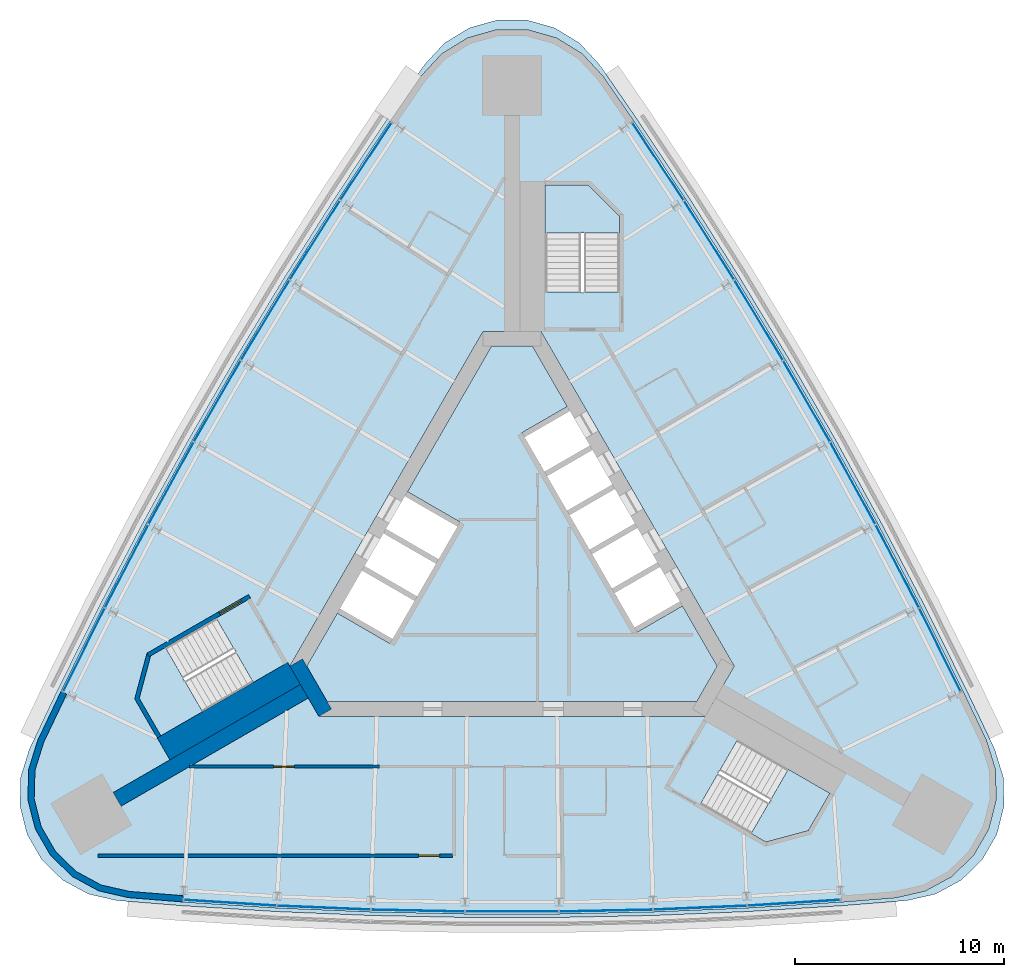
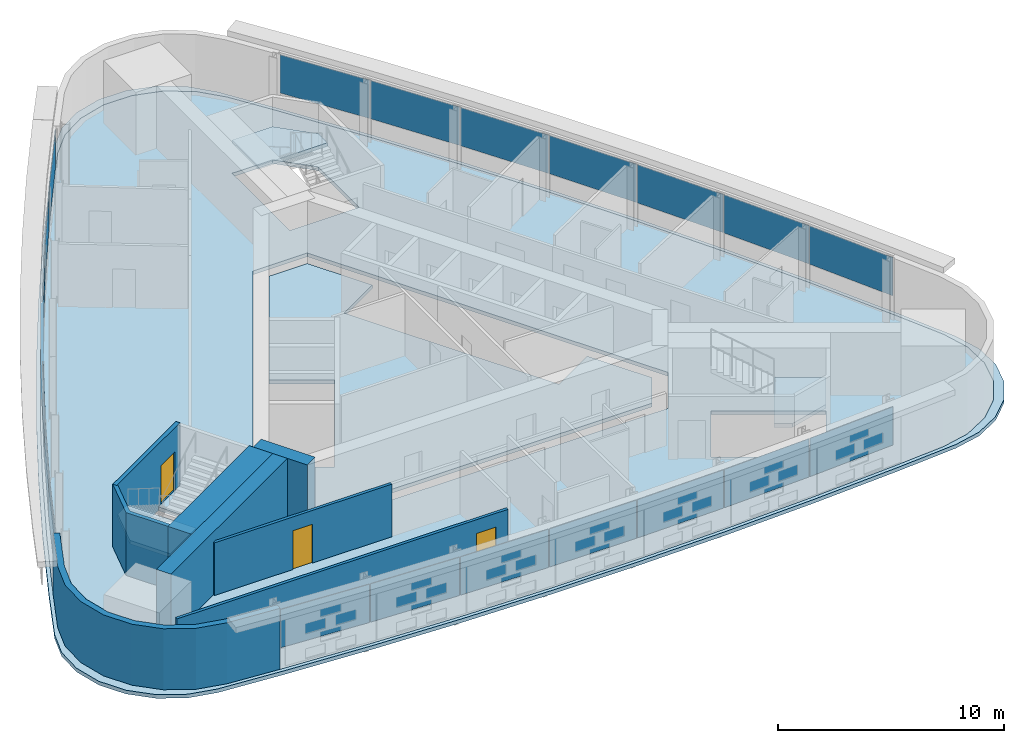
# One storey, part 7 of 12: 21 plates, 8 walls, 6 slabs, 3 doors, 3 openings, 6 elements without a shape of their own.
"""IFC4 building model written with IfcOpenShell, lengths in metres."""

from ifc_helpers import new_model, si_unit, direction, frame, frame_2d, origin, origin_2d, place, context, subcontext, project, spatial, polyline, rectangle, outline, extrude, material, layer, layer_set, type_object, element, fill, aggregate, save


model = new_model("IFC4")

# Units and contexts
model_context = context("Model", 3, precision=1e-05, world=origin(), true_north=direction((0.0, 1.0)))
body_context = subcontext(model_context, "Body", "Model", "MODEL_VIEW")
ifc_project = project(units=[si_unit("LENGTHUNIT", "METRE"), si_unit("AREAUNIT", "SQUARE_METRE"), si_unit("VOLUMEUNIT", "CUBIC_METRE"), si_unit("PLANEANGLEUNIT", "RADIAN"), si_unit("MASSUNIT", "GRAM", prefix="KILO")], contexts=[model_context])

# Site, building, storey
site_placement = place(None, origin())
site = spatial("IfcSite", under=ifc_project, at=site_placement, CompositionType="ELEMENT")
building_placement = place(site_placement, origin())
building = spatial("IfcBuilding", under=site, at=building_placement, Name="Noor Cloister Tower", CompositionType="ELEMENT")
storey_placement = place(building_placement, frame((0.0, 0.0, 158.10009765625)))
storey = spatial("IfcBuildingStorey", under=building, at=storey_placement, Name="L40", CompositionType="ELEMENT", Elevation=158.10009765625)

# Slabs
ifc_material_1 = material(Name="Concrete C40/50", Category="concrete")
ifc_layer_1 = layer(ifc_material_1, 0.199951171875)
ifc_layer_set_1 = layer_set([ifc_layer_1], Name="Core floor slab 200 C40/50")
slab_type_1 = type_object("IfcSlabType", Name="Core floor slab 200 C40/50", PredefinedType="FLOOR", material=ifc_layer_set_1)
slab_1_placement = place(storey_placement, frame((0.0, 0.0, -0.2001953125)))
element("IfcSlab", 1, at=slab_1_placement, inside=storey, type_object=slab_type_1, Name="Core floor L40", PredefinedType="FLOOR", context=body_context, shape_type="SweptSolid", body=[
    extrude(outline(polyline([(2.643798828125, 7.877197265625), (0.9814453125, 10.75634765625), (-0.9814453125, 10.75634765625), (-4.993896484375, 3.806884765625), (-2.482421875, 2.35693359375), (-5.832275390625, -3.4453125), (-8.34375, -1.995361328125), (-9.80615234375, -4.5283203125), (-8.82470703125, -6.228271484375), (8.82470703125, -6.228271484375), (9.80615234375, -4.5283203125), (8.143798828125, -1.64892578125), (5.978759765625, -2.89892578125), (0.478759765625, 6.627197265625), (2.643798828125, 7.877197265625)])), origin(), (0.0, 0.0, 1.0), 0.2001953125),
])
ifc_material_2 = material(Name="Concrete C40/50", Category="concrete")
ifc_layer_2 = layer(ifc_material_2, 0.199951171875)
ifc_layer_set_2 = layer_set([ifc_layer_2], Name="Floor slab 200 C40/50")
slab_type_2 = type_object("IfcSlabType", Name="Floor slab 200 C40/50", PredefinedType="FLOOR", material=ifc_layer_set_2)
slab_2_placement = place(storey_placement, frame((0.0, 0.0, -0.2001953125)))
element("IfcSlab", 2, at=slab_2_placement, inside=storey, type_object=slab_type_2, Name="Floor slab L40", PredefinedType="FLOOR", context=body_context, shape_type="SweptSolid", body=[
    extrude(outline(polyline([(4.335693359375, 23.665283203125), (3.3525390625, 24.728271484375), (2.11767578125, 25.484619140625), (0.72412109375, 25.87744140625), (-0.72412109375, 25.87744140625), (-2.11767578125, 25.484619140625), (-3.3525390625, 24.728271484375), (-4.335693359375, 23.665283203125), (-5.8095703125, 21.5244140625), (-8.2998046875, 17.7763671875), (-10.7109375, 13.97705078125), (-13.0419921875, 10.1279296875), (-15.2919921875, 6.23095703125), (-17.4599609375, 2.28759765625), (-19.544677734375, -1.7001953125), (-21.54541015625, -5.73095703125), (-22.66259765625, -8.077880859375), (-23.091552734375, -9.4609375), (-23.129150390625, -10.908447265625), (-22.772705078125, -12.311767578125), (-22.048583984375, -13.565673828125), (-21.011474609375, -14.576171875), (-19.739013671875, -15.267333984375), (-18.326904296875, -15.58740234375), (-15.73583984375, -15.79345703125), (-11.244873046875, -16.075927734375), (-6.748779296875, -16.264404296875), (-2.25, -16.358642578125), (2.25, -16.358642578125), (6.748779296875, -16.264404296875), (11.244873046875, -16.075927734375), (15.73583984375, -15.79345703125), (18.326904296875, -15.58740234375), (19.739013671875, -15.267333984375), (21.011474609375, -14.576171875), (22.048583984375, -13.565673828125), (22.772705078125, -12.311767578125), (23.129150390625, -10.908447265625), (23.091552734375, -9.4609375), (22.66259765625, -8.077880859375), (21.54541015625, -5.73095703125), (19.544677734375, -1.7001953125), (17.4599609375, 2.28759765625), (15.2919921875, 6.23095703125), (13.0419921875, 10.1279296875), (10.7109375, 13.97705078125), (8.2998046875, 17.7763671875), (5.8095703125, 21.5244140625), (4.335693359375, 23.665283203125)]), holes=[polyline([(8.999755859375, -11.126220703125), (12.131591796875, -12.934326171875), (14.1572265625, -12.3916015625), (15.19091796875, -10.601318359375), (10.774658203125, -8.0517578125), (8.999755859375, -11.126220703125)]), polyline([(-17.81005859375, -6.064697265625), (-16.776611328125, -7.85498046875), (-12.3603515625, -5.305419921875), (-14.13525390625, -2.23095703125), (-16.662841796875, -3.690185546875), (-17.267333984375, -4.039306640625), (-17.81005859375, -6.064697265625)]), polyline([(-10.6142578125, -4.5283203125), (-9.228759765625, -6.92822265625), (9.228759765625, -6.92822265625), (10.6142578125, -4.5283203125), (1.3857421875, 11.456298828125), (-1.3857421875, 11.456298828125), (-10.6142578125, -4.5283203125)]), polyline([(3.65283203125, 18.456298828125), (1.585693359375, 18.456298828125), (1.585693359375, 13.35693359375), (5.135498046875, 13.35693359375), (5.135498046875, 16.9736328125), (3.65283203125, 18.456298828125)])]), origin(), (0.0, 0.0, 1.0), 0.2001953125),
])

# Curtain wall, plates
ifc_material_3 = material(Name="Aluminium 6063-T6 anodised", Category="aluminium")
curtain_wall_type = type_object("IfcCurtainWallType", Name="Ribbon curtain wall, upper tower CW5", PredefinedType="NOTDEFINED", material=ifc_material_3)
curtain_wall_1_placement = place(storey_placement, origin())
curtain_wall_1 = element("IfcCurtainWall", 3, at=curtain_wall_1_placement, inside=storey, type_object=curtain_wall_type, Name="CW5 L40 NW run 1", PredefinedType="NOTDEFINED")
ifc_material_4 = material(Name="Clear laminated glass 2 x 8 mm", Category="glass")
ifc_layer_3 = layer(ifc_material_4, 0.028076171875)
ifc_layer_set_3 = layer_set([ifc_layer_3], Name="Glass panel CW5")
plate_type = type_object("IfcPlateType", Name="Glass panel CW5", PredefinedType="CURTAIN_PANEL", material=ifc_layer_set_3)
plate_1_placement = place(storey_placement, frame((-6.980712890625, 19.580810546875, 1.08984375), z_axis=(0.0, 0.0, 1.0), x_axis=(-0.553397582174, -0.832917232409, 0.0)))
plate_1 = element("IfcPlate", 4, at=plate_1_placement, type_object=plate_type, Name="CW5 glass panel 1", PredefinedType="CURTAIN_PANEL", context=body_context, shape_type="SweptSolid", body=[
    extrude(rectangle(XDim=4.413818359375, YDim=0.028076171875, at=origin_2d()), origin(), (0.0, 0.0, 1.0), 2.070068359375),
])
plate_2_placement = place(storey_placement, frame((-9.4208984375, 15.822998046875, 1.08984375), z_axis=(0.0, 0.0, 1.0), x_axis=(-0.535830876928, -0.844325335004, 0.0)))
plate_2 = element("IfcPlate", 5, at=plate_2_placement, type_object=plate_type, Name="CW5 glass panel 2", PredefinedType="CURTAIN_PANEL", context=body_context, shape_type="SweptSolid", body=[
    extrude(rectangle(XDim=4.44775390625, YDim=0.028076171875, at=origin_2d()), origin(), (0.0, 0.0, 1.0), 2.070068359375),
])
plate_3_placement = place(storey_placement, frame((-11.791015625, 12.000732421875, 1.08984375), z_axis=(0.0, 0.0, 1.0), x_axis=(-0.518029069563, -0.855363012462, 0.0)))
plate_3 = element("IfcPlate", 6, at=plate_3_placement, type_object=plate_type, Name="CW5 glass panel 3", PredefinedType="CURTAIN_PANEL", context=body_context, shape_type="SweptSolid", body=[
    extrude(rectangle(XDim=4.44775390625, YDim=0.028076171875, at=origin_2d()), origin(), (0.0, 0.0, 1.0), 2.070068359375),
])
plate_4_placement = place(storey_placement, frame((-14.08056640625, 8.12939453125, 1.08984375), z_axis=(0.0, 0.0, 1.0), x_axis=(-0.5, -0.866025403784, 0.0)))
plate_4 = element("IfcPlate", 7, at=plate_4_placement, type_object=plate_type, Name="CW5 glass panel 4", PredefinedType="CURTAIN_PANEL", context=body_context, shape_type="SweptSolid", body=[
    extrude(rectangle(XDim=4.44775390625, YDim=0.028076171875, at=origin_2d()), origin(), (0.0, 0.0, 1.0), 2.070068359375),
])
plate_5_placement = place(storey_placement, frame((-16.288330078125, 4.2109375, 1.08984375), z_axis=(0.0, 0.0, 1.0), x_axis=(-0.481751563468, -0.876307840371, 0.0)))
plate_5 = element("IfcPlate", 8, at=plate_5_placement, type_object=plate_type, Name="CW5 glass panel 5", PredefinedType="CURTAIN_PANEL", context=body_context, shape_type="SweptSolid", body=[
    extrude(rectangle(XDim=4.44775390625, YDim=0.028076171875, at=origin_2d()), origin(), (0.0, 0.0, 1.0), 2.070068359375),
])
plate_6_placement = place(storey_placement, frame((-18.41357421875, 0.247314453125, 1.08984375), z_axis=(0.0, 0.0, 1.0), x_axis=(-0.463291750708, -0.886205819054, 0.0)))
plate_6 = element("IfcPlate", 9, at=plate_6_placement, type_object=plate_type, Name="CW5 glass panel 6", PredefinedType="CURTAIN_PANEL", context=body_context, shape_type="SweptSolid", body=[
    extrude(rectangle(XDim=4.44775390625, YDim=0.028076171875, at=origin_2d()), origin(), (0.0, 0.0, 1.0), 2.070068359375),
])
plate_7_placement = place(storey_placement, frame((-20.447998046875, -3.744873046875, 1.08984375), z_axis=(0.0, 0.0, 1.0), x_axis=(-0.444628691429, -0.89571498076, 0.0)))
plate_7 = element("IfcPlate", 10, at=plate_7_placement, type_object=plate_type, Name="CW5 glass panel 7", PredefinedType="CURTAIN_PANEL", context=body_context, shape_type="SweptSolid", body=[
    extrude(rectangle(XDim=4.413818359375, YDim=0.028076171875, at=origin_2d()), origin(), (0.0, 0.0, 1.0), 2.070068359375),
])
aggregate(curtain_wall_1, [plate_1, plate_2, plate_3, plate_4, plate_5, plate_6, plate_7])

curtain_wall_2_placement = place(storey_placement, origin())
curtain_wall_2 = element("IfcCurtainWall", 11, at=curtain_wall_2_placement, inside=storey, type_object=curtain_wall_type, Name="CW5 L40 S run 2", PredefinedType="NOTDEFINED")
plate_8_placement = place(storey_placement, frame((-13.467041015625, -15.8359375, 1.08984375), z_axis=(0.0, 0.0, 1.0), x_axis=(0.998026273603, -0.062797748351, 0.0)))
plate_8 = element("IfcPlate", 12, at=plate_8_placement, type_object=plate_type, Name="CW5 glass panel 1", PredefinedType="CURTAIN_PANEL", context=body_context, shape_type="SweptSolid", body=[
    extrude(rectangle(XDim=4.413818359375, YDim=0.028076171875, at=origin_2d()), origin(), (0.0, 0.0, 1.0), 2.070068359375),
])
plate_9_placement = place(storey_placement, frame((-8.99267578125, -16.0703125, 1.08984375), z_axis=(0.0, 0.0, 1.0), x_axis=(0.999122627637, -0.04188048405, 0.0)))
plate_9 = element("IfcPlate", 13, at=plate_9_placement, type_object=plate_type, Name="CW5 glass panel 2", PredefinedType="CURTAIN_PANEL", context=body_context, shape_type="SweptSolid", body=[
    extrude(rectangle(XDim=4.44775390625, YDim=0.028076171875, at=origin_2d()), origin(), (0.0, 0.0, 1.0), 2.070068359375),
])
plate_10_placement = place(storey_placement, frame((-4.497314453125, -16.211669921875, 1.08984375), z_axis=(0.0, 0.0, 1.0), x_axis=(0.999780633031, -0.020944827909, 0.0)))
plate_10 = element("IfcPlate", 14, at=plate_10_placement, type_object=plate_type, Name="CW5 glass panel 3", PredefinedType="CURTAIN_PANEL", context=body_context, shape_type="SweptSolid", body=[
    extrude(rectangle(XDim=4.44775390625, YDim=0.028076171875, at=origin_2d()), origin(), (0.0, 0.0, 1.0), 2.070068359375),
])
plate_11_placement = place(storey_placement, frame((0.0, -16.2587890625, 1.08984375), z_axis=(0.0, 0.0, 1.0), x_axis=(1.0, 0.0, 0.0)))
plate_11 = element("IfcPlate", 15, at=plate_11_placement, type_object=plate_type, Name="CW5 glass panel 4", PredefinedType="CURTAIN_PANEL", context=body_context, shape_type="SweptSolid", body=[
    extrude(rectangle(XDim=4.44775390625, YDim=0.028076171875, at=origin_2d()), origin(), (0.0, 0.0, 1.0), 2.070068359375),
])
plate_12_placement = place(storey_placement, frame((4.497314453125, -16.211669921875, 1.08984375), z_axis=(0.0, 0.0, 1.0), x_axis=(0.999780633031, 0.020944827909, 0.0)))
plate_12 = element("IfcPlate", 16, at=plate_12_placement, type_object=plate_type, Name="CW5 glass panel 5", PredefinedType="CURTAIN_PANEL", context=body_context, shape_type="SweptSolid", body=[
    extrude(rectangle(XDim=4.44775390625, YDim=0.028076171875, at=origin_2d()), origin(), (0.0, 0.0, 1.0), 2.070068359375),
])
plate_13_placement = place(storey_placement, frame((8.99267578125, -16.0703125, 1.08984375), z_axis=(0.0, 0.0, 1.0), x_axis=(0.999122627637, 0.04188048405, 0.0)))
plate_13 = element("IfcPlate", 17, at=plate_13_placement, type_object=plate_type, Name="CW5 glass panel 6", PredefinedType="CURTAIN_PANEL", context=body_context, shape_type="SweptSolid", body=[
    extrude(rectangle(XDim=4.44775390625, YDim=0.028076171875, at=origin_2d()), origin(), (0.0, 0.0, 1.0), 2.070068359375),
])
plate_14_placement = place(storey_placement, frame((13.467041015625, -15.8359375, 1.08984375), z_axis=(0.0, 0.0, 1.0), x_axis=(0.998026273603, 0.062797748351, 0.0)))
plate_14 = element("IfcPlate", 18, at=plate_14_placement, type_object=plate_type, Name="CW5 glass panel 7", PredefinedType="CURTAIN_PANEL", context=body_context, shape_type="SweptSolid", body=[
    extrude(rectangle(XDim=4.413818359375, YDim=0.028076171875, at=origin_2d()), origin(), (0.0, 0.0, 1.0), 2.070068359375),
])
aggregate(curtain_wall_2, [plate_8, plate_9, plate_10, plate_11, plate_12, plate_13, plate_14])

curtain_wall_3_placement = place(storey_placement, origin())
curtain_wall_3 = element("IfcCurtainWall", 19, at=curtain_wall_3_placement, inside=storey, type_object=curtain_wall_type, Name="CW5 L40 NE run 3", PredefinedType="NOTDEFINED")
plate_15_placement = place(storey_placement, frame((20.447998046875, -3.744873046875, 1.08984375), z_axis=(0.0, 0.0, 1.0), x_axis=(-0.444628691429, 0.89571498076, 0.0)))
plate_15 = element("IfcPlate", 20, at=plate_15_placement, type_object=plate_type, Name="CW5 glass panel 1", PredefinedType="CURTAIN_PANEL", context=body_context, shape_type="SweptSolid", body=[
    extrude(rectangle(XDim=4.413818359375, YDim=0.028076171875, at=origin_2d()), origin(), (0.0, 0.0, 1.0), 2.070068359375),
])
plate_16_placement = place(storey_placement, frame((18.41357421875, 0.247314453125, 1.08984375), z_axis=(0.0, 0.0, 1.0), x_axis=(-0.463291750708, 0.886205819054, 0.0)))
plate_16 = element("IfcPlate", 21, at=plate_16_placement, type_object=plate_type, Name="CW5 glass panel 2", PredefinedType="CURTAIN_PANEL", context=body_context, shape_type="SweptSolid", body=[
    extrude(rectangle(XDim=4.44775390625, YDim=0.028076171875, at=origin_2d()), origin(), (0.0, 0.0, 1.0), 2.070068359375),
])
plate_17_placement = place(storey_placement, frame((16.288330078125, 4.2109375, 1.08984375), z_axis=(0.0, 0.0, 1.0), x_axis=(-0.481751563468, 0.876307840371, 0.0)))
plate_17 = element("IfcPlate", 22, at=plate_17_placement, type_object=plate_type, Name="CW5 glass panel 3", PredefinedType="CURTAIN_PANEL", context=body_context, shape_type="SweptSolid", body=[
    extrude(rectangle(XDim=4.44775390625, YDim=0.028076171875, at=origin_2d()), origin(), (0.0, 0.0, 1.0), 2.070068359375),
])
plate_18_placement = place(storey_placement, frame((14.08056640625, 8.12939453125, 1.08984375), z_axis=(0.0, 0.0, 1.0), x_axis=(-0.5, 0.866025403784, 0.0)))
plate_18 = element("IfcPlate", 23, at=plate_18_placement, type_object=plate_type, Name="CW5 glass panel 4", PredefinedType="CURTAIN_PANEL", context=body_context, shape_type="SweptSolid", body=[
    extrude(rectangle(XDim=4.44775390625, YDim=0.028076171875, at=origin_2d()), origin(), (0.0, 0.0, 1.0), 2.070068359375),
])
plate_19_placement = place(storey_placement, frame((11.791015625, 12.000732421875, 1.08984375), z_axis=(0.0, 0.0, 1.0), x_axis=(-0.518029069563, 0.855363012462, 0.0)))
plate_19 = element("IfcPlate", 24, at=plate_19_placement, type_object=plate_type, Name="CW5 glass panel 5", PredefinedType="CURTAIN_PANEL", context=body_context, shape_type="SweptSolid", body=[
    extrude(rectangle(XDim=4.44775390625, YDim=0.028076171875, at=origin_2d()), origin(), (0.0, 0.0, 1.0), 2.070068359375),
])
plate_20_placement = place(storey_placement, frame((9.4208984375, 15.822998046875, 1.08984375), z_axis=(0.0, 0.0, 1.0), x_axis=(-0.535830876928, 0.844325335004, 0.0)))
plate_20 = element("IfcPlate", 25, at=plate_20_placement, type_object=plate_type, Name="CW5 glass panel 6", PredefinedType="CURTAIN_PANEL", context=body_context, shape_type="SweptSolid", body=[
    extrude(rectangle(XDim=4.44775390625, YDim=0.028076171875, at=origin_2d()), origin(), (0.0, 0.0, 1.0), 2.070068359375),
])
plate_21_placement = place(storey_placement, frame((6.980712890625, 19.580810546875, 1.08984375), z_axis=(0.0, 0.0, 1.0), x_axis=(-0.553397582174, 0.832917232409, 0.0)))
plate_21 = element("IfcPlate", 26, at=plate_21_placement, type_object=plate_type, Name="CW5 glass panel 7", PredefinedType="CURTAIN_PANEL", context=body_context, shape_type="SweptSolid", body=[
    extrude(rectangle(XDim=4.413818359375, YDim=0.028076171875, at=origin_2d()), origin(), (0.0, 0.0, 1.0), 2.070068359375),
])
aggregate(curtain_wall_3, [plate_15, plate_16, plate_17, plate_18, plate_19, plate_20, plate_21])

# Slab
ifc_material_5 = material(Name="Concrete C40/50", Category="concrete")
ifc_layer_4 = layer(ifc_material_5, 0.199951171875)
ifc_layer_set_4 = layer_set([ifc_layer_4], Name="Ledge roof 200 C40/50")
slab_type_3 = type_object("IfcSlabType", Name="Ledge roof 200 C40/50", PredefinedType="ROOF", material=ifc_layer_set_4)
slab_3_placement = place(storey_placement, frame((0.0, 0.0, -0.2001953125)))
element("IfcSlab", 27, at=slab_3_placement, inside=storey, type_object=slab_type_3, Name="Ledge roof L40", PredefinedType="ROOF", context=body_context, shape_type="SweptSolid", body=[
    extrude(outline(polyline([(5.967529296875, 21.615966796875), (4.174072265625, 24.218505859375), (3.2265625, 25.239990234375), (2.037841796875, 25.966552734375), (0.696533203125, 26.34375), (-0.696533203125, 26.34375), (-2.037841796875, 25.966552734375), (-3.2265625, 25.239990234375), (-4.174072265625, 24.218505859375), (-5.967529296875, 21.615966796875), (-8.455322265625, 17.8662109375), (-10.864990234375, 14.06591796875), (-13.195068359375, 10.21630859375), (-15.445068359375, 6.3193359375), (-17.61376953125, 2.37646484375), (-19.700439453125, -1.610595703125), (-21.703857421875, -5.639892578125), (-23.060791015625, -8.494384765625), (-23.4716796875, -9.82568359375), (-23.506591796875, -11.218505859375), (-23.162841796875, -12.568603515625), (-22.466064453125, -13.775146484375), (-21.46875, -14.748046875), (-20.2451171875, -15.414306640625), (-18.88671875, -15.72412109375), (-15.736083984375, -15.97607421875), (-11.244873046875, -16.255615234375), (-6.7490234375, -16.442138671875), (-2.25, -16.535400390625), (2.25, -16.535400390625), (6.7490234375, -16.442138671875), (11.244873046875, -16.255615234375), (15.736083984375, -15.97607421875), (18.88671875, -15.72412109375), (20.2451171875, -15.414306640625), (21.46875, -14.748046875), (22.466064453125, -13.775146484375), (23.162841796875, -12.568603515625), (23.506591796875, -11.218505859375), (23.4716796875, -9.82568359375), (23.060791015625, -8.494384765625), (21.703857421875, -5.639892578125), (19.700439453125, -1.610595703125), (17.61376953125, 2.37646484375), (15.445068359375, 6.3193359375), (13.195068359375, 10.21630859375), (10.864990234375, 14.06591796875), (8.455322265625, 17.8662109375), (5.967529296875, 21.615966796875)]), holes=[polyline([(2.11767578125, 25.484619140625), (0.72412109375, 25.87744140625), (-0.72412109375, 25.87744140625), (-2.11767578125, 25.484619140625), (-3.3525390625, 24.728271484375), (-4.335693359375, 23.665283203125), (-5.8095703125, 21.5244140625), (-8.2998046875, 17.7763671875), (-10.7109375, 13.97705078125), (-13.0419921875, 10.1279296875), (-15.2919921875, 6.23095703125), (-17.4599609375, 2.28759765625), (-19.544677734375, -1.7001953125), (-21.54541015625, -5.73095703125), (-22.66259765625, -8.077880859375), (-23.091552734375, -9.4609375), (-23.129150390625, -10.908447265625), (-22.772705078125, -12.311767578125), (-22.048583984375, -13.565673828125), (-21.011474609375, -14.576171875), (-19.739013671875, -15.267333984375), (-18.326904296875, -15.58740234375), (-15.73583984375, -15.79345703125), (-11.244873046875, -16.075927734375), (-6.748779296875, -16.264404296875), (-2.25, -16.358642578125), (2.25, -16.358642578125), (6.748779296875, -16.264404296875), (11.244873046875, -16.075927734375), (15.73583984375, -15.79345703125), (18.326904296875, -15.58740234375), (19.739013671875, -15.267333984375), (21.011474609375, -14.576171875), (22.048583984375, -13.565673828125), (22.772705078125, -12.311767578125), (23.129150390625, -10.908447265625), (23.091552734375, -9.4609375), (22.66259765625, -8.077880859375), (21.54541015625, -5.73095703125), (19.544677734375, -1.7001953125), (17.4599609375, 2.28759765625), (15.2919921875, 6.23095703125), (13.0419921875, 10.1279296875), (10.7109375, 13.97705078125), (8.2998046875, 17.7763671875), (5.8095703125, 21.5244140625), (4.335693359375, 23.665283203125), (3.3525390625, 24.728271484375), (2.11767578125, 25.484619140625)])]), origin(), (0.0, 0.0, 1.0), 0.2001953125),
])

# Stair, slab
ifc_material_6 = material(Name="Concrete C40/50", Category="concrete")
stair_type = type_object("IfcStairType", Name="Exit stair 22 risers", PredefinedType="HALF_TURN_STAIR", material=ifc_material_6)
stair_1_placement = place(storey_placement, origin())
stair_1 = element("IfcStair", 28, at=stair_1_placement, inside=storey, type_object=stair_type, Name="Exit stair ST1 L40", PredefinedType="HALF_TURN_STAIR")
ifc_material_7 = material(Name="Concrete C40/50", Category="concrete")
ifc_layer_5 = layer(ifc_material_7, 0.199951171875)
ifc_layer_set_5 = layer_set([ifc_layer_5], Name="Stair landing 200 C40/50")
slab_type_4 = type_object("IfcSlabType", Name="Stair landing 200 C40/50", PredefinedType="LANDING", material=ifc_layer_set_5)
slab_4_placement = place(storey_placement, frame((0.0, 0.0, 1.599853515625)))
slab_4 = element("IfcSlab", 29, at=slab_4_placement, type_object=slab_type_4, Name="ST1 landing 1", PredefinedType="LANDING", context=body_context, shape_type="SweptSolid", body=[
    extrude(outline(polyline([(5.135498046875, 16.15576171875), (5.135498046875, 16.9736328125), (3.65283203125, 18.456298828125), (1.585693359375, 18.456298828125), (1.585693359375, 16.15576171875), (5.135498046875, 16.15576171875)])), origin(), (0.0, 0.0, 1.0), 0.199951171875),
])
aggregate(stair_1, [slab_4])

stair_2_placement = place(storey_placement, origin())
stair_2 = element("IfcStair", 30, at=stair_2_placement, inside=storey, type_object=stair_type, Name="Exit stair ST2 L40", PredefinedType="HALF_TURN_STAIR")
slab_5_placement = place(storey_placement, frame((0.0, 0.0, 1.599853515625)))
slab_5 = element("IfcSlab", 31, at=slab_5_placement, type_object=slab_type_4, Name="ST2 landing 1", PredefinedType="LANDING", context=body_context, shape_type="SweptSolid", body=[
    extrude(outline(polyline([(-16.55908203125, -3.63037109375), (-17.267333984375, -4.039306640625), (-17.81005859375, -6.064697265625), (-16.776611328125, -7.85498046875), (-14.7841796875, -6.70458984375), (-16.55908203125, -3.63037109375)])), origin(), (0.0, 0.0, 1.0), 0.199951171875),
])
aggregate(stair_2, [slab_5])

stair_3_placement = place(storey_placement, origin())
stair_3 = element("IfcStair", 32, at=stair_3_placement, inside=storey, type_object=stair_type, Name="Exit stair ST3 L40", PredefinedType="HALF_TURN_STAIR")
slab_6_placement = place(storey_placement, frame((0.0, 0.0, 1.599853515625)))
slab_6 = element("IfcSlab", 33, at=slab_6_placement, type_object=slab_type_4, Name="ST3 landing 1", PredefinedType="LANDING", context=body_context, shape_type="SweptSolid", body=[
    extrude(outline(polyline([(11.423583984375, -12.525390625), (12.131591796875, -12.934326171875), (14.1572265625, -12.3916015625), (15.19091796875, -10.601318359375), (13.198486328125, -9.451171875), (11.423583984375, -12.525390625)])), origin(), (0.0, 0.0, 1.0), 0.199951171875),
])
aggregate(stair_3, [slab_6])

# Walls
ifc_material_8 = material(Name="Concrete C70/85", Category="concrete")
ifc_layer_6 = layer(ifc_material_8, 0.75)
ifc_layer_set_6 = layer_set([ifc_layer_6], Name="Buttress wall 750 C70/85")
wall_type_1 = type_object("IfcWallType", Name="Buttress wall 750 C70/85", PredefinedType="SHEAR", material=ifc_layer_set_6)
wall_1_placement = place(storey_placement, frame((-9.921630859375, -5.728271484375, -0.2001953125), z_axis=(0.0, 0.0, 1.0), x_axis=(-0.866025410072, -0.499999989109, 0.0)))
element("IfcWall", 34, at=wall_1_placement, inside=storey, type_object=wall_type_1, Name="Buttress wall SW L40", PredefinedType="SHEAR", context=body_context, shape_type="SweptSolid", body=[
    extrude(rectangle(XDim=10.33056640625, YDim=0.75, at=frame_2d((5.165283203125, 0.0))), origin(), (0.0, 0.0, 1.0), 3.60009765625),
])
ifc_material_9 = material(Name="Concrete C70/85", Category="concrete")
ifc_layer_7 = layer(ifc_material_9, 0.699951171875)
ifc_layer_set_7 = layer_set([ifc_layer_7], Name="Core wall 700 C70/85")
wall_type_2 = type_object("IfcWallType", Name="Core wall 700 C70/85", PredefinedType="SHEAR", material=ifc_layer_set_7)
wall_2_placement = place(storey_placement, frame((-10.311279296875, -4.353271484375, -0.2001953125), z_axis=(0.0, 0.0, 1.0), x_axis=(0.500042739161, -0.866000726912, 0.0)))
element("IfcWall", 35, at=wall_2_placement, inside=storey, type_object=wall_type_2, Name="Core wall L40 6", PredefinedType="SHEAR", context=body_context, shape_type="SweptSolid", body=[
    extrude(rectangle(XDim=2.771240234375, YDim=0.699951171875, at=frame_2d((1.3857421875, 0.0))), origin(), (0.0, 0.0, 1.0), 3.60009765625),
])

# Wall, opening, door
ifc_material_10 = material(Name="Gypsum board partition on steel studs, 150 mm", Category="steel")
ifc_layer_8 = layer(ifc_material_10, 0.14990234375)
ifc_layer_set_8 = layer_set([ifc_layer_8], Name="Flat wall 150")
wall_type_3 = type_object("IfcWallType", Name="Flat wall 150", PredefinedType="PARTITIONING", material=ifc_layer_set_8)
wall_3_placement = place(storey_placement, frame((-15.406982421875, -9.328125, 0.0), z_axis=(0.0, 0.0, 1.0), x_axis=(1.0, 0.0, 0.0)))
wall_3 = element("IfcWall", 36, at=wall_3_placement, inside=storey, type_object=wall_type_3, Name="Wall L40-W14", PredefinedType="PARTITIONING", context=body_context, shape_type="SweptSolid", body=[
    extrude(rectangle(XDim=9.076171875, YDim=0.14990234375, at=frame_2d((4.5380859375, 0.0))), origin(), (0.0, 0.0, 1.0), 2.846923828125),
])
opening_1_placement = place(wall_3_placement, frame((4.01318359375, 0.0, 0.0)))
opening_1 = element("IfcOpeningElement", 37, at=opening_1_placement, cuts=wall_3, Name="Opening L40-011", PredefinedType="OPENING", context=body_context, shape_type="SweptSolid", body=[
    extrude(rectangle(XDim=1.0, YDim=2.10009765625, at=frame_2d((0.5, 1.050048828125))), frame((0.0, 0.0849609375, 0.0), z_axis=(0.0, -1.0, 0.0), x_axis=(1.0, 0.0, 0.0)), (0.0, 0.0, 1.0), 0.169921875),
])
ifc_material_11 = material(Name="Timber door leaf with steel frame", Category="steel")
door_type_1 = type_object("IfcDoorType", Name="Interior door 1000 FD60", OperationType="NOTDEFINED", PredefinedType="DOOR", material=ifc_material_11)
door_1_placement = place(opening_1_placement, origin())
door_1 = element("IfcDoor", 38, at=door_1_placement, inside=storey, type_object=door_type_1, Name="Door L40-011", OperationType="SINGLE_SWING_LEFT", OverallHeight=2.10009765625, OverallWidth=1.0, PredefinedType="DOOR", context=body_context, shape_type="SweptSolid", body=[
    extrude(rectangle(XDim=1.0, YDim=2.10009765625, at=frame_2d((0.5, 1.050048828125))), frame((0.0, 0.02490234375, 0.0), z_axis=(0.0, -1.0, 0.0), x_axis=(1.0, 0.0, 0.0)), (0.0, 0.0, 1.0), 0.050048828125),
])
fill(opening_1, door_1)

wall_4_placement = place(storey_placement, frame((-19.782470703125, -13.58642578125, 0.0), z_axis=(0.0, 0.0, 1.0), x_axis=(1.0, 0.0, 0.0)))
wall_4 = element("IfcWall", 39, at=wall_4_placement, inside=storey, type_object=wall_type_3, Name="Wall L40-W20", PredefinedType="PARTITIONING", context=body_context, shape_type="SweptSolid", body=[
    extrude(rectangle(XDim=16.94580078125, YDim=0.14990234375, at=frame_2d((8.472900390625, 0.0))), origin(), (0.0, 0.0, 1.0), 2.846923828125),
])
opening_2_placement = place(wall_4_placement, frame((15.32080078125, 0.0, 0.0)))
opening_2 = element("IfcOpeningElement", 40, at=opening_2_placement, cuts=wall_4, Name="Opening L40-010", PredefinedType="OPENING", context=body_context, shape_type="SweptSolid", body=[
    extrude(rectangle(XDim=1.0, YDim=2.10009765625, at=frame_2d((0.5, 1.050048828125))), frame((0.0, 0.0849609375, 0.0), z_axis=(0.0, -1.0, 0.0), x_axis=(1.0, 0.0, 0.0)), (0.0, 0.0, 1.0), 0.169921875),
])
door_2_placement = place(opening_2_placement, origin())
door_2 = element("IfcDoor", 41, at=door_2_placement, inside=storey, type_object=door_type_1, Name="Door L40-010", OperationType="SINGLE_SWING_RIGHT", OverallHeight=2.10009765625, OverallWidth=1.0, PredefinedType="DOOR", context=body_context, shape_type="SweptSolid", body=[
    extrude(rectangle(XDim=1.0, YDim=2.10009765625, at=frame_2d((0.5, 1.050048828125))), frame((0.0, 0.02490234375, 0.0), z_axis=(0.0, -1.0, 0.0), x_axis=(1.0, 0.0, 0.0)), (0.0, 0.0, 1.0), 0.050048828125),
])
fill(opening_2, door_2)

# Walls
ifc_material_12 = material(Name="Limestone", Category="masonry")
ifc_layer_9 = layer(ifc_material_12, 0.300048828125)
ifc_layer_set_9 = layer_set([ifc_layer_9], Name="Limestone cladding 300")
wall_type_4 = type_object("IfcWallType", Name="Limestone cladding 300", PredefinedType="NOTDEFINED", material=ifc_layer_set_9)
wall_5_placement = place(storey_placement, origin())
element("IfcWall", 42, at=wall_5_placement, inside=storey, type_object=wall_type_4, Name="Limestone pier cladding L40 1.1", PredefinedType="NOTDEFINED", context=body_context, shape_type="SweptSolid", body=[
    extrude(outline(polyline([(-21.54541015625, -5.73095703125), (-22.66259765625, -8.077880859375), (-23.091552734375, -9.4609375), (-23.129150390625, -10.908447265625), (-22.772705078125, -12.311767578125), (-22.048583984375, -13.565673828125), (-21.011474609375, -14.576171875), (-19.739013671875, -15.267333984375), (-18.326904296875, -15.58740234375), (-15.73583984375, -15.79345703125), (-15.712158203125, -15.494384765625), (-18.281494140625, -15.2900390625), (-19.63232421875, -14.984130859375), (-20.831787109375, -14.33251953125), (-21.8095703125, -13.3798828125), (-22.491943359375, -12.19775390625), (-22.828125, -10.874755859375), (-22.792724609375, -9.510009765625), (-22.38232421875, -8.187255859375), (-21.274658203125, -5.85986328125), (-21.54541015625, -5.73095703125)])), origin(), (0.0, 0.0, 1.0), 3.2998046875),
])
ifc_material_13 = material(Name="Concrete C70/85", Category="concrete")
ifc_layer_10 = layer(ifc_material_13, 1.2109375)
ifc_layer_set_10 = layer_set([ifc_layer_10], Name="Stair enclosure wall 1211 C70/85")
wall_type_5 = type_object("IfcWallType", Name="Stair enclosure wall 1211 C70/85", PredefinedType="SHEAR", material=ifc_layer_set_10)
wall_6_placement = place(storey_placement, frame((-10.41162109375, -4.879150390625, -0.2001953125), z_axis=(0.0, 0.0, 1.0), x_axis=(-0.866026919366, -0.499997374926, 0.0)))
element("IfcWall", 43, at=wall_6_placement, inside=storey, type_object=wall_type_5, Name="Stair enclosure wall ST2 L40 riser side", PredefinedType="SHEAR", context=body_context, shape_type="SweptSolid", body=[
    extrude(rectangle(XDim=7.2001953125, YDim=1.210693359375, at=frame_2d((3.60009765625, 0.0))), origin(), (0.0, 0.0, 1.0), 3.60009765625),
])

# Wall, opening, door
ifc_material_14 = material(Name="Concrete C70/85", Category="concrete")
ifc_layer_11 = layer(ifc_material_14, 0.199951171875)
ifc_layer_set_11 = layer_set([ifc_layer_11], Name="Stair enclosure wall 200 C70/85")
wall_type_6 = type_object("IfcWallType", Name="Stair enclosure wall 200 C70/85", PredefinedType="SHEAR", material=ifc_layer_set_11)
wall_7_placement = place(storey_placement, frame((-12.539306640625, -1.194091796875, -0.2001953125), z_axis=(0.0, 0.0, 1.0), x_axis=(-0.866045472092, -0.499965239061, 0.0)))
wall_7 = element("IfcWall", 44, at=wall_7_placement, inside=storey, type_object=wall_type_6, Name="Stair enclosure wall ST2 L40 outer side", PredefinedType="SHEAR", context=body_context, shape_type="SweptSolid", body=[
    extrude(rectangle(XDim=5.60009765625, YDim=0.199951171875, at=frame_2d((2.800048828125, 0.0))), origin(), (0.0, 0.0, 1.0), 3.60009765625),
])
opening_3_placement = place(wall_7_placement, frame((0.449951171875, 0.0, 0.199951171875)))
opening_3 = element("IfcOpeningElement", 45, at=opening_3_placement, cuts=wall_7, Name="Opening L40-ST2C", PredefinedType="OPENING", context=body_context, shape_type="SweptSolid", body=[
    extrude(rectangle(XDim=1.199951171875, YDim=2.10009765625, at=frame_2d((0.60009765625, 1.050048828125))), frame((0.0, 0.10986328125, 0.0), z_axis=(0.0, -1.0, 0.0), x_axis=(1.0, 0.0, 0.0)), (0.0, 0.0, 1.0), 0.219970703125),
])
ifc_material_15 = material(Name="Steel", Category="steel")
door_type_2 = type_object("IfcDoorType", Name="Stair door 1200 x 2100 FD120", OperationType="SINGLE_SWING_LEFT", PredefinedType="DOOR", material=ifc_material_15)
door_3_placement = place(opening_3_placement, origin())
door_3 = element("IfcDoor", 46, at=door_3_placement, inside=storey, type_object=door_type_2, Name="Stair door ST2 L40", OperationType="SINGLE_SWING_LEFT", OverallHeight=2.10009765625, OverallWidth=1.199951171875, PredefinedType="DOOR", context=body_context, shape_type="SweptSolid", body=[
    extrude(rectangle(XDim=1.199951171875, YDim=2.10009765625, at=frame_2d((0.60009765625, 1.050048828125))), frame((0.0, 0.02490234375, 0.0), z_axis=(0.0, -1.0, 0.0), x_axis=(1.0, 0.0, 0.0)), (0.0, 0.0, 1.0), 0.050048828125),
])
fill(opening_3, door_3)

# Wall
ifc_material_16 = material(Name="Concrete C70/85", Category="concrete")
wall_type_7 = type_object("IfcWallType", Name="Stair far end wall C70/85", PredefinedType="SHEAR", material=ifc_material_16)
wall_8_placement = place(storey_placement, frame((0.0, 0.0, -0.2001953125)))
element("IfcWall", 47, at=wall_8_placement, inside=storey, type_object=wall_type_7, Name="Stair enclosure wall ST2 L40 far end", PredefinedType="SHEAR", context=body_context, shape_type="SweptSolid", body=[
    extrude(outline(polyline([(-17.439208984375, -3.907470703125), (-18.024658203125, -6.093017578125), (-16.94970703125, -7.955078125), (-16.776611328125, -7.85498046875), (-17.81005859375, -6.064697265625), (-17.267333984375, -4.039306640625), (-17.339111328125, -4.08056640625), (-17.339111328125, -4.08056640625), (-17.339111328125, -4.08056640625), (-17.339111328125, -4.08056640625), (-17.339111328125, -4.08056640625), (-17.339111328125, -4.08056640625), (-17.339111328125, -4.08056640625), (-17.339111328125, -4.08056640625), (-17.339111328125, -4.08056640625), (-17.339111328125, -4.08056640625), (-17.339111328125, -4.08056640625), (-17.339111328125, -4.08056640625), (-17.339111328125, -4.08056640625), (-17.339111328125, -4.08056640625), (-17.339111328125, -4.08056640625), (-17.339111328125, -4.08056640625), (-17.339111328125, -4.08056640625), (-17.439208984375, -3.907470703125)])), origin(), (0.0, 0.0, 1.0), 3.60009765625),
])

save(model, "model.ifc")
